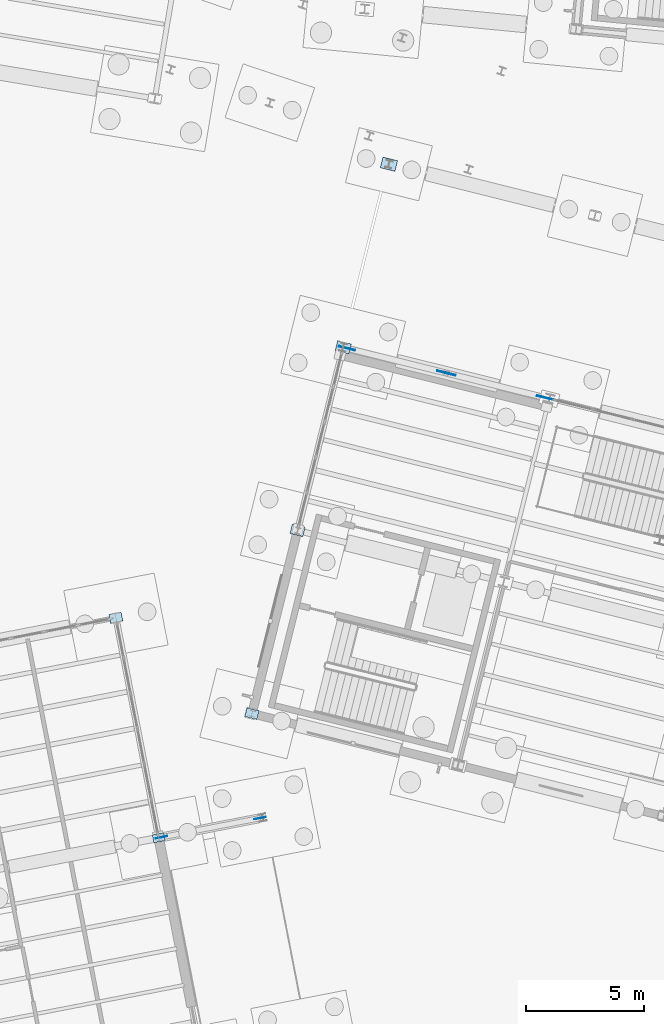
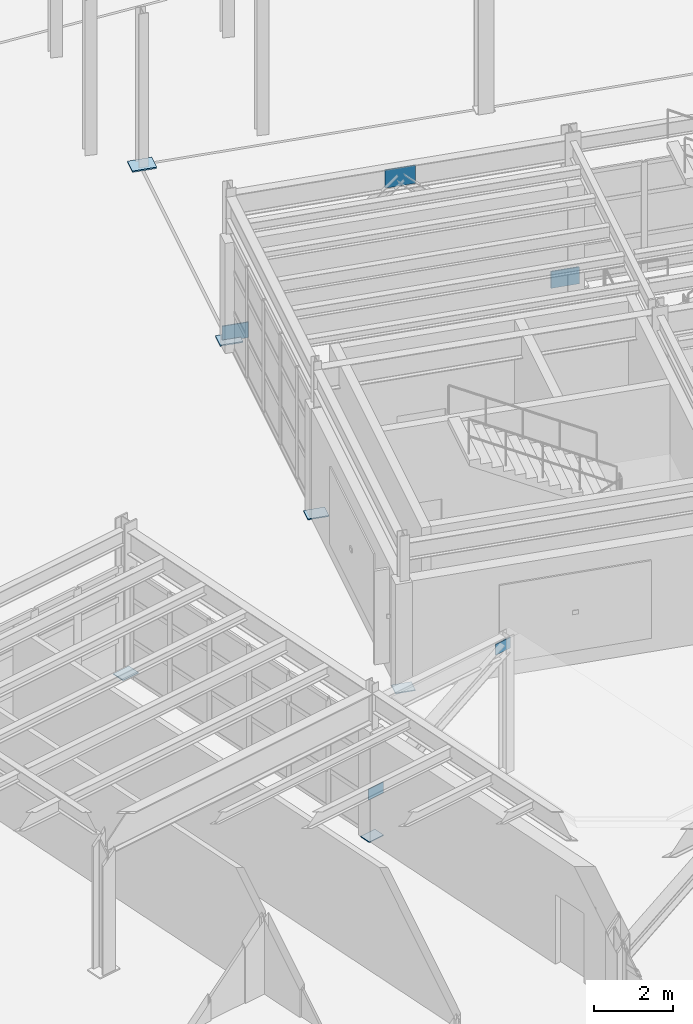
# One storey, part 73 of 108: 11 plates.
"""IFC4 building model written with IfcOpenShell, lengths in metres."""

from ifc_helpers import new_model, si_unit, direction, frame, origin, origin_2d, place, context, subcontext, project, spatial, rectangle, extrude, material, layer, layer_set, type_object, element, save


model = new_model("IFC4")

# Units and contexts
model_context = context("Model", 3, precision=1e-05, world=origin(), true_north=direction((0.0, 1.0)))
body_context = subcontext(model_context, "Body", "Model", "MODEL_VIEW")
ifc_project = project(units=[si_unit("LENGTHUNIT", "METRE"), si_unit("AREAUNIT", "SQUARE_METRE"), si_unit("VOLUMEUNIT", "CUBIC_METRE"), si_unit("PLANEANGLEUNIT", "RADIAN"), si_unit("MASSUNIT", "GRAM", prefix="KILO")], contexts=[model_context])

# Site, building, storey
site_placement = place(None, origin())
site = spatial("IfcSite", under=ifc_project, at=site_placement, CompositionType="ELEMENT")
building_placement = place(site_placement, origin())
building = spatial("IfcBuilding", under=site, at=building_placement, Name="Vireo Bluff Cable Station", CompositionType="ELEMENT")
storey_placement = place(building_placement, origin())
storey = spatial("IfcBuildingStorey", under=building, at=storey_placement, Name="L00", CompositionType="ELEMENT", Elevation=0.0)

# Plates
ifc_material = material(Name="Steel ASTM A572 Gr. 50", Category="steel")
ifc_layer_1 = layer(ifc_material, 0.02490234375, Name="Steel ASTM A572 Gr. 50")
ifc_layer_set_1 = layer_set([ifc_layer_1], Name="Steel ASTM A572 Gr. 50")
plate_type_1 = type_object("IfcPlateType", Name="BASEPLATE-480X340X25", PredefinedType="SHEET", material=ifc_layer_set_1)
plate_1_placement = place(storey_placement, frame((50.0478515625, 32.7373046875, 0.0), z_axis=(0.0, 0.0, 1.0), x_axis=(0.981627183448, 0.190808995377, 0.0)))
element("IfcPlate", 1, at=plate_1_placement, inside=storey, type_object=plate_type_1, Name="V5 column baseplate 240", PredefinedType="SHEET", context=body_context, shape_type="SweptSolid", body=[
    extrude(rectangle(XDim=0.47998046875, YDim=0.340087890625, at=origin_2d()), origin(), (0.0, 0.0, 1.0), 0.02490234375),
])
ifc_layer_2 = layer(ifc_material, 0.028076171875, Name="Steel ASTM A572 Gr. 50")
ifc_layer_set_2 = layer_set([ifc_layer_2], Name="Steel ASTM A572 Gr. 50")
plate_type_2 = type_object("IfcPlateType", Name="BASEPLATE-520X380X28", PredefinedType="SHEET", material=ifc_layer_set_2)
for number, where, z_axis, x_axis, name in (
    (2, (54.0, 38.0, 0.0), (0.0, 0.0, 1.0), (0.970295726276, -0.2419218956, 0.0), "V1 column baseplate 1"),
    (3, (48.235107421875, 42.062744140625, 0.0), (0.0, 0.0, 1.0), (0.981627183448, 0.190808995377, 0.0), "V5 column baseplate 241"),
):
    element("IfcPlate", number, at=place(storey_placement, frame(where, z_axis=z_axis, x_axis=x_axis)), inside=storey, type_object=plate_type_2, Name=name, PredefinedType="SHEET", context=body_context, shape_type="SweptSolid", body=[
        extrude(rectangle(XDim=0.52001953125, YDim=0.3798828125, at=origin_2d()), origin(), (0.0, 0.0, 1.0), 0.028076171875),
    ])
ifc_layer_3 = layer(ifc_material, 0.031982421875, Name="Steel ASTM A572 Gr. 50")
ifc_layer_set_3 = layer_set([ifc_layer_3], Name="Steel ASTM A572 Gr. 50")
plate_type_3 = type_object("IfcPlateType", Name="BASEPLATE-560X400X32", PredefinedType="SHEET", material=ifc_layer_set_3)
plate_2_placement = place(storey_placement, frame((55.935302734375, 45.762451171875, 0.0), z_axis=(0.0, 0.0, 1.0), x_axis=(0.970295726276, -0.2419218956, 0.0)))
element("IfcPlate", 4, at=plate_2_placement, inside=storey, type_object=plate_type_3, Name="V1 column baseplate 2", PredefinedType="SHEET", context=body_context, shape_type="SweptSolid", body=[
    extrude(rectangle(XDim=0.56005859375, YDim=0.39990234375, at=origin_2d()), origin(), (0.0, 0.0, 1.0), 0.031982421875),
])
ifc_layer_4 = layer(ifc_material, 0.035888671875, Name="Steel ASTM A572 Gr. 50")
ifc_layer_set_4 = layer_set([ifc_layer_4], Name="Steel ASTM A572 Gr. 50")
plate_type_4 = type_object("IfcPlateType", Name="BASEPLATE-600X440X36", PredefinedType="SHEET", material=ifc_layer_set_4)
plate_3_placement = place(storey_placement, frame((57.870849609375, 53.524658203125, 0.0), z_axis=(0.0, 0.0, 1.0), x_axis=(0.970295726276, -0.2419218956, 0.0)))
element("IfcPlate", 5, at=plate_3_placement, inside=storey, type_object=plate_type_4, Name="V1 column baseplate 3", PredefinedType="SHEET", context=body_context, shape_type="SweptSolid", body=[
    extrude(rectangle(XDim=0.60009765625, YDim=0.43994140625, at=origin_2d()), origin(), (0.0, 0.0, 1.0), 0.035888671875),
])
ifc_layer_5 = layer(ifc_material, 0.0400390625, Name="Steel ASTM A572 Gr. 50")
ifc_layer_set_5 = layer_set([ifc_layer_5], Name="Steel ASTM A572 Gr. 50")
plate_type_5 = type_object("IfcPlateType", Name="BASEPLATE-640X460X40", PredefinedType="SHEET", material=ifc_layer_set_5)
plate_4_placement = place(storey_placement, frame((59.80615234375, 61.287109375, 0.0), z_axis=(0.0, 0.0, 1.0), x_axis=(0.970295726276, -0.2419218956, 0.0)))
element("IfcPlate", 6, at=plate_4_placement, inside=storey, type_object=plate_type_5, Name="V1 column baseplate 4", PredefinedType="SHEET", context=body_context, shape_type="SweptSolid", body=[
    extrude(rectangle(XDim=0.639892578125, YDim=0.4599609375, at=origin_2d()), origin(), (0.0, 0.0, 1.0), 0.0400390625),
])
ifc_layer_6 = layer(ifc_material, 0.02001953125, Name="Steel ASTM A572 Gr. 50")
ifc_layer_set_6 = layer_set([ifc_layer_6], Name="Steel ASTM A572 Gr. 50")
plate_type_6 = type_object("IfcPlateType", Name="GUSSET-500X340X20", PredefinedType="USERDEFINED", material=ifc_layer_set_6)
for number, where, z_axis, x_axis, name in (
    (7, (50.16552734375, 32.76025390625, 1.18017578125), (0.0, 0.0, 1.0), (0.981627183448, 0.190808995377, 0.0), "Canopy raking strut end plate 3A"),
    (8, (54.347412109375, 33.572998046875, 3.7001953125), (0.0, 0.0, 1.0), (0.981627183448, 0.190808995377, 0.0), "Canopy raking strut end plate 3B"),
):
    element("IfcPlate", number, at=place(storey_placement, frame(where, z_axis=z_axis, x_axis=x_axis)), inside=storey, type_object=plate_type_6, Name=name, ObjectType="GUSSET PLATE", PredefinedType="USERDEFINED", context=body_context, shape_type="SweptSolid", body=[
        extrude(rectangle(XDim=0.5, YDim=0.02001953125, at=origin_2d()), origin(), (0.0, 0.0, 1.0), 0.340087890625),
    ])
ifc_layer_7 = layer(ifc_material, 0.030029296875, Name="Steel ASTM A572 Gr. 50")
ifc_layer_set_7 = layer_set([ifc_layer_7], Name="Steel ASTM A572 Gr. 50")
plate_type_7 = type_object("IfcPlateType", Name="GUSSET-700X480X30", PredefinedType="USERDEFINED", material=ifc_layer_set_7)
plate_5_placement = place(storey_placement, frame((58.02587890625, 53.486083984375, -0.02001953125), z_axis=(0.0, 0.0, 1.0), x_axis=(0.970295726276, -0.2419218956, 0.0)))
element("IfcPlate", 9, at=plate_5_placement, inside=storey, type_object=plate_type_7, Name="V1 L00 brace base gusset plate 27", ObjectType="GUSSET PLATE", PredefinedType="USERDEFINED", context=body_context, shape_type="SweptSolid", body=[
    extrude(rectangle(XDim=0.699951171875, YDim=0.030029296875, at=origin_2d()), origin(), (0.0, 0.0, 1.0), 0.47998046875),
])
ifc_layer_8 = layer(ifc_material, 0.031982421875, Name="Steel ASTM A572 Gr. 50")
ifc_layer_set_8 = layer_set([ifc_layer_8], Name="Steel ASTM A572 Gr. 50")
plate_type_8 = type_object("IfcPlateType", Name="GUSSET-750X520X32", PredefinedType="USERDEFINED", material=ifc_layer_set_8)
plate_6_placement = place(storey_placement, frame((66.4482421875, 51.38623046875, -0.0400390625), z_axis=(0.0, 0.0, 1.0), x_axis=(0.970295726276, -0.2419218956, 0.0)))
element("IfcPlate", 10, at=plate_6_placement, inside=storey, type_object=plate_type_8, Name="V1 L00 brace base gusset plate 28", ObjectType="GUSSET PLATE", PredefinedType="USERDEFINED", context=body_context, shape_type="SweptSolid", body=[
    extrude(rectangle(XDim=0.75, YDim=0.031982421875, at=origin_2d()), origin(), (0.0, 0.0, 1.0), 0.52001953125),
])
ifc_layer_9 = layer(ifc_material, 0.034912109375, Name="Steel ASTM A572 Gr. 50")
ifc_layer_set_9 = layer_set([ifc_layer_9], Name="Steel ASTM A572 Gr. 50")
plate_type_9 = type_object("IfcPlateType", Name="GUSSET-800X560X35", PredefinedType="USERDEFINED", material=ifc_layer_set_9)
plate_7_placement = place(storey_placement, frame((62.237060546875, 52.43603515625, 3.89990234375), z_axis=(0.0, 0.0, 1.0), x_axis=(0.970295726276, -0.2419218956, 0.0)))
element("IfcPlate", 11, at=plate_7_placement, inside=storey, type_object=plate_type_9, Name="V1 L00 chevron gusset plate 29", ObjectType="GUSSET PLATE", PredefinedType="USERDEFINED", context=body_context, shape_type="SweptSolid", body=[
    extrude(rectangle(XDim=0.800048828125, YDim=0.034912109375, at=origin_2d()), origin(), (0.0, 0.0, 1.0), 0.56005859375),
])

save(model, "model.ifc")
